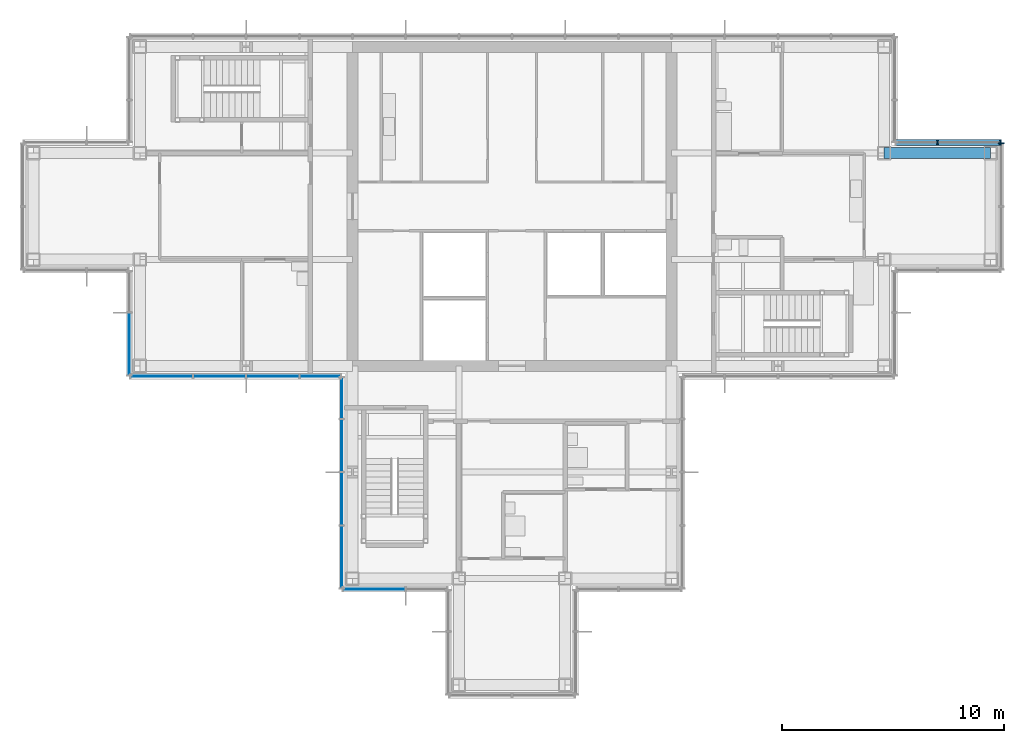
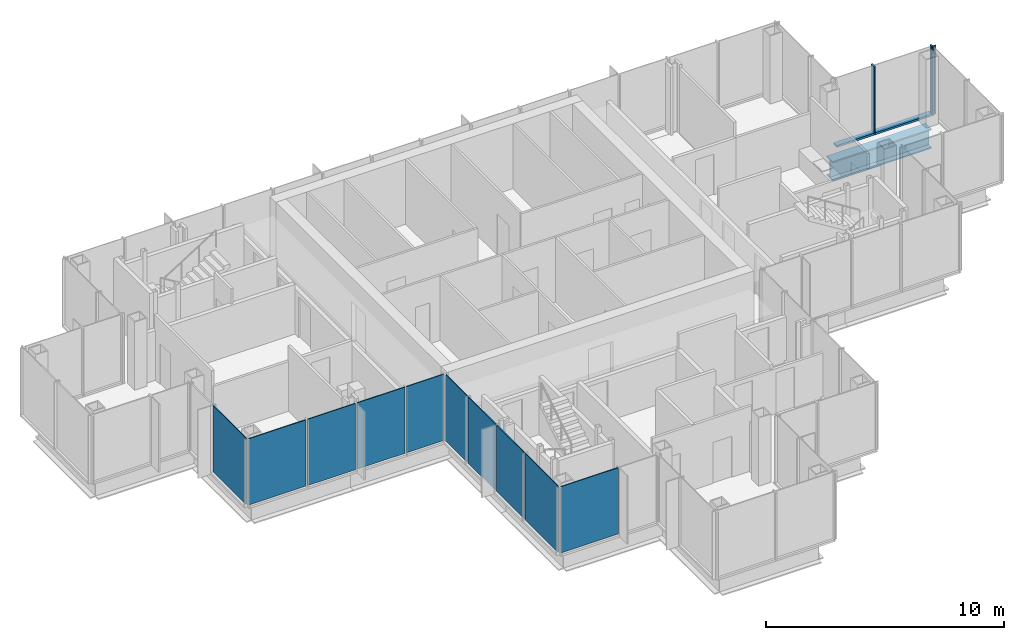
# One storey, part 8 of 15: 10 plates, 5 members, 1 beam, 6 elements without a shape of their own.
"""IFC4 building model written with IfcOpenShell, lengths in metres."""

from ifc_helpers import new_model, si_unit, direction, frame, origin, origin_2d, place, context, subcontext, project, spatial, rectangle, i_section, extrude, material, layer, layer_set, material_profile, profile_set, type_object, element, aggregate, save


model = new_model("IFC4")

# Units and contexts
model_context = context("Model", 3, precision=1e-05, world=origin(), true_north=direction((0.0, 1.0)))
body_context = subcontext(model_context, "Body", "Model", "MODEL_VIEW")
ifc_project = project(units=[si_unit("LENGTHUNIT", "METRE"), si_unit("AREAUNIT", "SQUARE_METRE"), si_unit("VOLUMEUNIT", "CUBIC_METRE"), si_unit("PLANEANGLEUNIT", "RADIAN"), si_unit("MASSUNIT", "GRAM", prefix="KILO")], contexts=[model_context])

# Site, building, storey
site_placement = place(None, origin())
site = spatial("IfcSite", under=ifc_project, at=site_placement, CompositionType="ELEMENT")
building_placement = place(site_placement, origin())
building = spatial("IfcBuilding", under=site, at=building_placement, Name="Kvirike Care Tower", CompositionType="ELEMENT")
storey_placement = place(building_placement, frame((0.0, 0.0, 236.5)))
storey = spatial("IfcBuildingStorey", under=building, at=storey_placement, Name="L65", CompositionType="ELEMENT", Elevation=236.5)

# Curtain wall, member
ifc_material_1 = material(Name="Anodised aluminium stick system", Category="aluminium")
curtain_wall_type = type_object("IfcCurtainWallType", Name="CW-D STICK CURTAIN WALL", PredefinedType="NOTDEFINED", material=ifc_material_1)
curtain_wall_1_placement = place(storey_placement, origin())
curtain_wall_1 = element("IfcCurtainWall", 1, at=curtain_wall_1_placement, inside=storey, type_object=curtain_wall_type, Name="Curtain wall L65 face 4", PredefinedType="NOTDEFINED")
ifc_material_2 = material(Name="Bronze anodised aluminium mullion", Category="aluminium")
ifc_material_profile_1 = material_profile(ifc_material_2, rectangle(XDim=0.06494140625, YDim=0.260009765625, at=origin_2d()), Name="CW-D MULLION 65x260")
ifc_profile_set_1 = profile_set([ifc_material_profile_1], Name="Bronze anodised aluminium mullion")
member_type_1 = type_object("IfcMemberType", Name="CW-D MULLION 65x260", PredefinedType="MULLION", material=ifc_profile_set_1)
member_1_placement = place(storey_placement, frame((43.679931640625, 38.847412109375, 0.0), z_axis=(0.0, 0.0, 1.0), x_axis=(0.0, 1.0, 0.0)))
member_1 = element("IfcMember", 2, at=member_1_placement, type_object=member_type_1, Name="CW-D mullion L65 face 4.3", PredefinedType="MULLION", context=body_context, shape_type="SweptSolid", body=[
    extrude(rectangle(XDim=0.06494140625, YDim=0.260009765625, at=origin_2d()), origin(), (0.0, 0.0, 1.0), 3.5),
])
aggregate(curtain_wall_1, [member_1])

# Curtain wall, members
curtain_wall_2_placement = place(storey_placement, origin())
curtain_wall_2 = element("IfcCurtainWall", 3, at=curtain_wall_2_placement, inside=storey, type_object=curtain_wall_type, Name="Curtain wall L65 face 5", PredefinedType="NOTDEFINED")
member_2_placement = place(storey_placement, frame((43.6474609375, 38.8798828125, 0.0), z_axis=(0.0, 0.0, 1.0), x_axis=(-1.0, 0.0, 0.0)))
member_2 = element("IfcMember", 4, at=member_2_placement, type_object=member_type_1, Name="CW-D mullion L65 face 5.1", PredefinedType="MULLION", context=body_context, shape_type="SweptSolid", body=[
    extrude(rectangle(XDim=0.06494140625, YDim=0.260009765625, at=origin_2d()), origin(), (0.0, 0.0, 1.0), 3.5),
])
member_3_placement = place(storey_placement, frame((40.800048828125, 38.8798828125, 0.0), z_axis=(0.0, 0.0, 1.0), x_axis=(-1.0, 0.0, 0.0)))
member_3 = element("IfcMember", 5, at=member_3_placement, type_object=member_type_1, Name="CW-D mullion L65 face 5.2", PredefinedType="MULLION", context=body_context, shape_type="SweptSolid", body=[
    extrude(rectangle(XDim=0.06494140625, YDim=0.260009765625, at=origin_2d()), origin(), (0.0, 0.0, 1.0), 3.5),
])
ifc_material_3 = material(Name="Bronze anodised aluminium transom", Category="aluminium")
ifc_material_profile_2 = material_profile(ifc_material_3, rectangle(XDim=0.260009765625, YDim=0.10009765625, at=origin_2d()), Name="CW-D TRANSOM 260x100")
ifc_profile_set_2 = profile_set([ifc_material_profile_2], Name="Bronze anodised aluminium transom")
member_type_2 = type_object("IfcMemberType", Name="CW-D TRANSOM 260x100", PredefinedType="USERDEFINED", material=ifc_profile_set_2)
member_4_placement = place(storey_placement, frame((43.614990234375, 38.8798828125, 0.050048828125), z_axis=(-1.0, 0.0, 0.0), x_axis=(0.0, -1.0, 0.0)))
member_4 = element("IfcMember", 6, at=member_4_placement, type_object=member_type_2, Name="CW-D sill transom L65 face 5.1", ObjectType="TRANSOM", PredefinedType="USERDEFINED", context=body_context, shape_type="SweptSolid", body=[
    extrude(rectangle(XDim=0.260009765625, YDim=0.10009765625, at=origin_2d()), origin(), (0.0, 0.0, 1.0), 2.782470703125),
])
member_5_placement = place(storey_placement, frame((40.767578125, 38.8798828125, 0.050048828125), z_axis=(-1.0, 0.0, 0.0), x_axis=(0.0, -1.0, 0.0)))
member_5 = element("IfcMember", 7, at=member_5_placement, type_object=member_type_2, Name="CW-D sill transom L65 face 5.2", ObjectType="TRANSOM", PredefinedType="USERDEFINED", context=body_context, shape_type="SweptSolid", body=[
    extrude(rectangle(XDim=0.260009765625, YDim=0.10009765625, at=origin_2d()), origin(), (0.0, 0.0, 1.0), 1.822509765625),
])
aggregate(curtain_wall_2, [member_2, member_3, member_4, member_5])

# Beam
ifc_material_4 = material(Name="Steel S355", Category="steel")
ifc_material_profile_3 = material_profile(ifc_material_4, i_section(OverallWidth=0.5, OverallDepth=1.0, WebThickness=0.030029296875, FlangeThickness=0.06005859375, at=origin_2d()), Name="PG 1000x500x30x60")
ifc_profile_set_3 = profile_set([ifc_material_profile_3], Name="Steel S355")
beam_type = type_object("IfcBeamType", Name="SPANDREL PG 1000x500x30x60", PredefinedType="SPANDREL", material=ifc_profile_set_3)
beam_placement = place(storey_placement, frame((38.39990234375, 38.39990234375, -0.669921875), z_axis=(1.0, 0.0, 0.0), x_axis=(0.0, 1.0, 0.0)))
element("IfcBeam", 8, at=beam_placement, inside=storey, type_object=beam_type, Name="Spandrel J11-J12 L65", PredefinedType="SPANDREL", context=body_context, shape_type="SweptSolid", body=[
    extrude(i_section(OverallWidth=0.5, OverallDepth=1.0, WebThickness=0.030029296875, FlangeThickness=0.06005859375, at=origin_2d()), origin(), (0.0, 0.0, 1.0), 4.800048828125),
])

# Curtain wall, plate
curtain_wall_3_placement = place(storey_placement, origin())
curtain_wall_3 = element("IfcCurtainWall", 9, at=curtain_wall_3_placement, inside=storey, type_object=curtain_wall_type, Name="Curtain wall L65 face 12", PredefinedType="NOTDEFINED")
ifc_material_5 = material(Name="Tinted double glazed unit", Category="glass")
ifc_layer = layer(ifc_material_5, 0.0439453125)
ifc_layer_set = layer_set([ifc_layer], Name="TINTED VISION PANEL 44")
plate_type = type_object("IfcPlateType", Name="TINTED VISION PANEL 44", PredefinedType="CURTAIN_PANEL", material=ifc_layer_set)
plate_1_placement = place(storey_placement, frame((4.320068359375, 29.7763671875, 0.10009765625), z_axis=(0.0, 0.0, 1.0), x_axis=(0.0, -1.0, 0.0)))
plate_1 = element("IfcPlate", 10, at=plate_1_placement, type_object=plate_type, Name="CW-D panel L65 face 12.2", PredefinedType="CURTAIN_PANEL", context=body_context, shape_type="SweptSolid", body=[
    extrude(rectangle(XDim=2.782470703125, YDim=0.0439453125, at=origin_2d()), origin(), (0.0, 0.0, 1.0), 3.39990234375),
])
aggregate(curtain_wall_3, [plate_1])

# Curtain wall, plates
curtain_wall_4_placement = place(storey_placement, origin())
curtain_wall_4 = element("IfcCurtainWall", 11, at=curtain_wall_4_placement, inside=storey, type_object=curtain_wall_type, Name="Curtain wall L65 face 13", PredefinedType="NOTDEFINED")
plate_2_placement = place(storey_placement, frame((5.7763671875, 28.320068359375, 0.10009765625), z_axis=(0.0, 0.0, 1.0), x_axis=(1.0, 0.0, 0.0)))
plate_2 = element("IfcPlate", 12, at=plate_2_placement, type_object=plate_type, Name="CW-D panel L65 face 13.1", PredefinedType="CURTAIN_PANEL", context=body_context, shape_type="SweptSolid", body=[
    extrude(rectangle(XDim=2.782470703125, YDim=0.0439453125, at=origin_2d()), origin(), (0.0, 0.0, 1.0), 3.39990234375),
])
plate_3_placement = place(storey_placement, frame((8.39990234375, 28.320068359375, 0.10009765625), z_axis=(0.0, 0.0, 1.0), x_axis=(1.0, 0.0, 0.0)))
plate_3 = element("IfcPlate", 13, at=plate_3_placement, type_object=plate_type, Name="CW-D panel L65 face 13.2", PredefinedType="CURTAIN_PANEL", context=body_context, shape_type="SweptSolid", body=[
    extrude(rectangle(XDim=2.3349609375, YDim=0.0439453125, at=origin_2d()), origin(), (0.0, 0.0, 1.0), 3.39990234375),
])
plate_4_placement = place(storey_placement, frame((10.800048828125, 28.320068359375, 0.10009765625), z_axis=(0.0, 0.0, 1.0), x_axis=(1.0, 0.0, 0.0)))
plate_4 = element("IfcPlate", 14, at=plate_4_placement, type_object=plate_type, Name="CW-D panel L65 face 13.3", PredefinedType="CURTAIN_PANEL", context=body_context, shape_type="SweptSolid", body=[
    extrude(rectangle(XDim=2.3349609375, YDim=0.0439453125, at=origin_2d()), origin(), (0.0, 0.0, 1.0), 3.39990234375),
])
plate_5_placement = place(storey_placement, frame((12.94384765625, 28.320068359375, 0.10009765625), z_axis=(0.0, 0.0, 1.0), x_axis=(1.0, 0.0, 0.0)))
plate_5 = element("IfcPlate", 15, at=plate_5_placement, type_object=plate_type, Name="CW-D panel L65 face 13.4", PredefinedType="CURTAIN_PANEL", context=body_context, shape_type="SweptSolid", body=[
    extrude(rectangle(XDim=1.822509765625, YDim=0.0439453125, at=origin_2d()), origin(), (0.0, 0.0, 1.0), 3.39990234375),
])
aggregate(curtain_wall_4, [plate_2, plate_3, plate_4, plate_5])

curtain_wall_5_placement = place(storey_placement, origin())
curtain_wall_5 = element("IfcCurtainWall", 16, at=curtain_wall_5_placement, inside=storey, type_object=curtain_wall_type, Name="Curtain wall L65 face 14", PredefinedType="NOTDEFINED")
plate_6_placement = place(storey_placement, frame((13.919921875, 27.34375, 0.10009765625), z_axis=(0.0, 0.0, 1.0), x_axis=(0.0, -1.0, 0.0)))
plate_6 = element("IfcPlate", 17, at=plate_6_placement, type_object=plate_type, Name="CW-D panel L65 face 14.1", PredefinedType="CURTAIN_PANEL", context=body_context, shape_type="SweptSolid", body=[
    extrude(rectangle(XDim=1.822509765625, YDim=0.0439453125, at=origin_2d()), origin(), (0.0, 0.0, 1.0), 3.39990234375),
])
plate_7_placement = place(storey_placement, frame((13.919921875, 25.199951171875, 0.10009765625), z_axis=(0.0, 0.0, 1.0), x_axis=(0.0, -1.0, 0.0)))
plate_7 = element("IfcPlate", 18, at=plate_7_placement, type_object=plate_type, Name="CW-D panel L65 face 14.2", PredefinedType="CURTAIN_PANEL", context=body_context, shape_type="SweptSolid", body=[
    extrude(rectangle(XDim=2.3349609375, YDim=0.0439453125, at=origin_2d()), origin(), (0.0, 0.0, 1.0), 3.39990234375),
])
plate_8_placement = place(storey_placement, frame((13.919921875, 22.800048828125, 0.10009765625), z_axis=(0.0, 0.0, 1.0), x_axis=(0.0, -1.0, 0.0)))
plate_8 = element("IfcPlate", 19, at=plate_8_placement, type_object=plate_type, Name="CW-D panel L65 face 14.3", PredefinedType="CURTAIN_PANEL", context=body_context, shape_type="SweptSolid", body=[
    extrude(rectangle(XDim=2.3349609375, YDim=0.0439453125, at=origin_2d()), origin(), (0.0, 0.0, 1.0), 3.39990234375),
])
plate_9_placement = place(storey_placement, frame((13.919921875, 20.17626953125, 0.10009765625), z_axis=(0.0, 0.0, 1.0), x_axis=(0.0, -1.0, 0.0)))
plate_9 = element("IfcPlate", 20, at=plate_9_placement, type_object=plate_type, Name="CW-D panel L65 face 14.4", PredefinedType="CURTAIN_PANEL", context=body_context, shape_type="SweptSolid", body=[
    extrude(rectangle(XDim=2.782470703125, YDim=0.0439453125, at=origin_2d()), origin(), (0.0, 0.0, 1.0), 3.39990234375),
])
aggregate(curtain_wall_5, [plate_6, plate_7, plate_8, plate_9])

# Curtain wall, plate
curtain_wall_6_placement = place(storey_placement, origin())
curtain_wall_6 = element("IfcCurtainWall", 21, at=curtain_wall_6_placement, inside=storey, type_object=curtain_wall_type, Name="Curtain wall L65 face 15", PredefinedType="NOTDEFINED")
plate_10_placement = place(storey_placement, frame((15.376220703125, 18.719970703125, 0.10009765625), z_axis=(0.0, 0.0, 1.0), x_axis=(1.0, 0.0, 0.0)))
plate_10 = element("IfcPlate", 22, at=plate_10_placement, type_object=plate_type, Name="CW-D panel L65 face 15.1", PredefinedType="CURTAIN_PANEL", context=body_context, shape_type="SweptSolid", body=[
    extrude(rectangle(XDim=2.782470703125, YDim=0.0439453125, at=origin_2d()), origin(), (0.0, 0.0, 1.0), 3.39990234375),
])
aggregate(curtain_wall_6, [plate_10])

save(model, "model.ifc")
